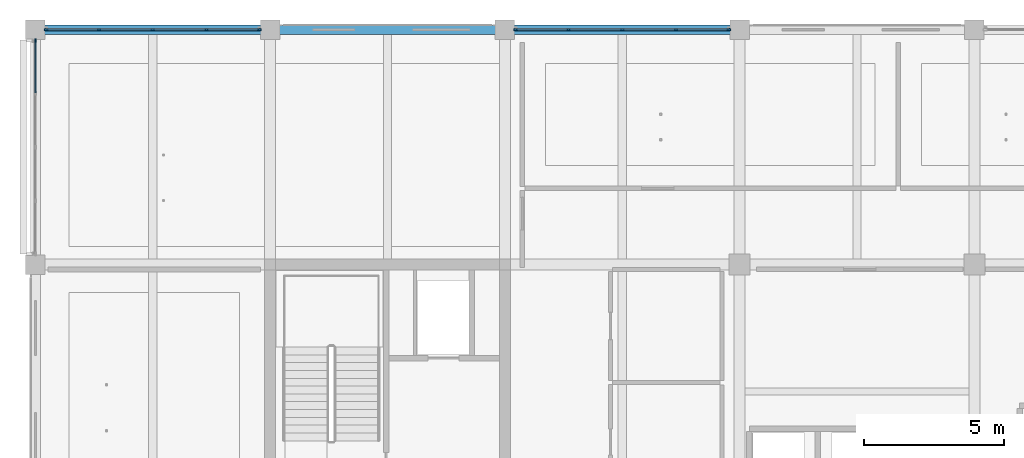
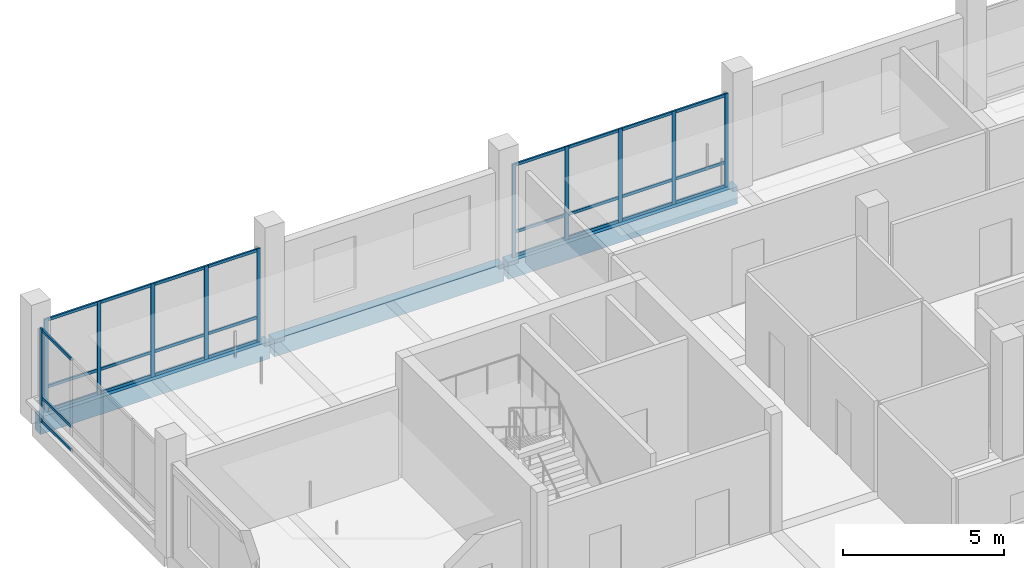
# One storey, part 8 of 32: 38 members, 3 beams, 3 elements without a shape of their own.
"""IFC4 building model written with IfcOpenShell, lengths in metres."""

from ifc_helpers import new_model, si_unit, direction, frame, origin, origin_2d, place, context, subcontext, project, spatial, rectangle, extrude, material, layer, layer_set, material_profile, profile_set, type_object, element, aggregate, save


model = new_model("IFC4")

# Units and contexts
model_context = context("Model", 3, precision=1e-05, world=origin(), true_north=direction((0.0, 1.0)))
body_context = subcontext(model_context, "Body", "Model", "MODEL_VIEW")
ifc_project = project(units=[si_unit("LENGTHUNIT", "METRE"), si_unit("AREAUNIT", "SQUARE_METRE"), si_unit("VOLUMEUNIT", "CUBIC_METRE"), si_unit("PLANEANGLEUNIT", "RADIAN"), si_unit("MASSUNIT", "GRAM", prefix="KILO")], contexts=[model_context])

# Site, building, storey
site_placement = place(None, origin())
site = spatial("IfcSite", under=ifc_project, at=site_placement, CompositionType="ELEMENT")
building_placement = place(site_placement, origin())
building = spatial("IfcBuilding", under=site, at=building_placement, Name="Telukmera Botanical Conservatory", CompositionType="ELEMENT")
storey_placement = place(building_placement, frame((0.0, 0.0, 42.0)))
storey = spatial("IfcBuildingStorey", under=building, at=storey_placement, Name="L09", CompositionType="ELEMENT", Elevation=42.0)

# Beams
ifc_material_1 = material(Name="Precast concrete C40/50", Category="concrete")
ifc_material_profile_1 = material_profile(ifc_material_1, rectangle(XDim=0.35009765625, YDim=0.64990234375, at=origin_2d()), Name="PC 350x650")
ifc_profile_set_1 = profile_set([ifc_material_profile_1], Name="Precast concrete C40/50")
beam_type = type_object("IfcBeamType", Name="Beam_SP3", PredefinedType="SPANDREL", material=ifc_profile_set_1)
beam_1_placement = place(storey_placement, frame((50.47998046875, 42.800048828125, -0.324951171875), z_axis=(1.0, 0.0, 0.0), x_axis=(0.0, 1.0, 0.0)))
element("IfcBeam", 1, at=beam_1_placement, inside=storey, type_object=beam_type, Name="Tower Grid Beam L09", PredefinedType="SPANDREL", context=body_context, shape_type="SweptSolid", body=[
    extrude(rectangle(XDim=0.35009765625, YDim=0.64990234375, at=origin_2d()), origin(), (0.0, 0.0, 1.0), 8.239990234375),
])
beam_2_placement = place(storey_placement, frame((58.8798828125, 42.800048828125, -0.324951171875), z_axis=(1.0, 0.0, 0.0), x_axis=(0.0, 1.0, 0.0)))
element("IfcBeam", 2, at=beam_2_placement, inside=storey, type_object=beam_type, Name="Tower Grid Beam L09", PredefinedType="SPANDREL", context=body_context, shape_type="SweptSolid", body=[
    extrude(rectangle(XDim=0.35009765625, YDim=0.64990234375, at=origin_2d()), origin(), (0.0, 0.0, 1.0), 8.240234375),
])
beam_3_placement = place(storey_placement, frame((67.280029296875, 42.800048828125, -0.324951171875), z_axis=(1.0, 0.0, 0.0), x_axis=(0.0, 1.0, 0.0)))
element("IfcBeam", 3, at=beam_3_placement, inside=storey, type_object=beam_type, Name="Tower Grid Beam L09", PredefinedType="SPANDREL", context=body_context, shape_type="SweptSolid", body=[
    extrude(rectangle(XDim=0.35009765625, YDim=0.64990234375, at=origin_2d()), origin(), (0.0, 0.0, 1.0), 8.239990234375),
])

# Curtain wall, members
ifc_material_2 = material(Name="Anodised aluminium 6063-T6", Category="aluminium")
ifc_layer = layer(ifc_material_2, 0.179931640625)
ifc_layer_set = layer_set([ifc_layer], Name="Anodised aluminium 6063-T6")
curtain_wall_type = type_object("IfcCurtainWallType", Name="Tower Research Laboratory Unitised Curtain Wall", PredefinedType="USERDEFINED", material=ifc_layer_set)
curtain_wall_1_placement = place(storey_placement, origin())
curtain_wall_1 = element("IfcCurtainWall", 4, at=curtain_wall_1_placement, inside=storey, type_object=curtain_wall_type, Name="Unitised Curtain Wall CW15 V4:L09:N1", ObjectType="UNITISED CURTAIN WALL", PredefinedType="USERDEFINED")
ifc_material_profile_2 = material_profile(ifc_material_2, rectangle(XDim=0.06005859375, YDim=0.139892578125, at=origin_2d()), Name="ALU MULL 60x140")
ifc_profile_set_2 = profile_set([ifc_material_profile_2], Name="Anodised aluminium 6063-T6")
member_type_1 = type_object("IfcMemberType", Name="Curtain Wall Extruded Mullion 60x140", PredefinedType="MULLION", material=ifc_profile_set_2)
member_1_placement = place(storey_placement, frame((50.781982421875, 42.800048828125, 0.0), z_axis=(0.0, 0.0, 1.0), x_axis=(0.0, 1.0, 0.0)))
member_1 = element("IfcMember", 5, at=member_1_placement, type_object=member_type_1, Name="CW15 mullion 1", PredefinedType="MULLION", context=body_context, shape_type="SweptSolid", body=[
    extrude(rectangle(XDim=0.06005859375, YDim=0.139892578125, at=origin_2d()), origin(), (0.0, 0.0, 1.0), 3.550048828125),
])
member_2_placement = place(storey_placement, frame((52.676025390625, 42.800048828125, 0.0), z_axis=(0.0, 0.0, 1.0), x_axis=(0.0, 1.0, 0.0)))
member_2 = element("IfcMember", 6, at=member_2_placement, type_object=member_type_1, Name="CW15 mullion 2", PredefinedType="MULLION", context=body_context, shape_type="SweptSolid", body=[
    extrude(rectangle(XDim=0.06005859375, YDim=0.139892578125, at=origin_2d()), origin(), (0.0, 0.0, 1.0), 3.550048828125),
])
member_3_placement = place(storey_placement, frame((54.60009765625, 42.800048828125, 0.0), z_axis=(0.0, 0.0, 1.0), x_axis=(0.0, 1.0, 0.0)))
member_3 = element("IfcMember", 7, at=member_3_placement, type_object=member_type_1, Name="CW15 mullion 3", PredefinedType="MULLION", context=body_context, shape_type="SweptSolid", body=[
    extrude(rectangle(XDim=0.06005859375, YDim=0.139892578125, at=origin_2d()), origin(), (0.0, 0.0, 1.0), 3.550048828125),
])
member_4_placement = place(storey_placement, frame((56.52392578125, 42.800048828125, 0.0), z_axis=(0.0, 0.0, 1.0), x_axis=(0.0, 1.0, 0.0)))
member_4 = element("IfcMember", 8, at=member_4_placement, type_object=member_type_1, Name="CW15 mullion 4", PredefinedType="MULLION", context=body_context, shape_type="SweptSolid", body=[
    extrude(rectangle(XDim=0.06005859375, YDim=0.139892578125, at=origin_2d()), origin(), (0.0, 0.0, 1.0), 3.550048828125),
])
member_5_placement = place(storey_placement, frame((58.41796875, 42.800048828125, 0.0), z_axis=(0.0, 0.0, 1.0), x_axis=(0.0, 1.0, 0.0)))
member_5 = element("IfcMember", 9, at=member_5_placement, type_object=member_type_1, Name="CW15 mullion 5", PredefinedType="MULLION", context=body_context, shape_type="SweptSolid", body=[
    extrude(rectangle(XDim=0.06005859375, YDim=0.139892578125, at=origin_2d()), origin(), (0.0, 0.0, 1.0), 3.550048828125),
])

curtain_wall_2_placement = place(storey_placement, origin())
curtain_wall_2 = element("IfcCurtainWall", 10, at=curtain_wall_2_placement, inside=storey, type_object=curtain_wall_type, Name="Unitised Curtain Wall CW15 V4:L09:N3", ObjectType="UNITISED CURTAIN WALL", PredefinedType="USERDEFINED")
member_6_placement = place(storey_placement, frame((67.58203125, 42.800048828125, 0.0), z_axis=(0.0, 0.0, 1.0), x_axis=(0.0, 1.0, 0.0)))
member_6 = element("IfcMember", 11, at=member_6_placement, type_object=member_type_1, Name="CW15 mullion 1", PredefinedType="MULLION", context=body_context, shape_type="SweptSolid", body=[
    extrude(rectangle(XDim=0.06005859375, YDim=0.139892578125, at=origin_2d()), origin(), (0.0, 0.0, 1.0), 3.550048828125),
])
member_7_placement = place(storey_placement, frame((69.47607421875, 42.800048828125, 0.0), z_axis=(0.0, 0.0, 1.0), x_axis=(0.0, 1.0, 0.0)))
member_7 = element("IfcMember", 12, at=member_7_placement, type_object=member_type_1, Name="CW15 mullion 2", PredefinedType="MULLION", context=body_context, shape_type="SweptSolid", body=[
    extrude(rectangle(XDim=0.06005859375, YDim=0.139892578125, at=origin_2d()), origin(), (0.0, 0.0, 1.0), 3.550048828125),
])
member_8_placement = place(storey_placement, frame((71.39990234375, 42.800048828125, 0.0), z_axis=(0.0, 0.0, 1.0), x_axis=(0.0, 1.0, 0.0)))
member_8 = element("IfcMember", 13, at=member_8_placement, type_object=member_type_1, Name="CW15 mullion 3", PredefinedType="MULLION", context=body_context, shape_type="SweptSolid", body=[
    extrude(rectangle(XDim=0.06005859375, YDim=0.139892578125, at=origin_2d()), origin(), (0.0, 0.0, 1.0), 3.550048828125),
])
member_9_placement = place(storey_placement, frame((73.323974609375, 42.800048828125, 0.0), z_axis=(0.0, 0.0, 1.0), x_axis=(0.0, 1.0, 0.0)))
member_9 = element("IfcMember", 14, at=member_9_placement, type_object=member_type_1, Name="CW15 mullion 4", PredefinedType="MULLION", context=body_context, shape_type="SweptSolid", body=[
    extrude(rectangle(XDim=0.06005859375, YDim=0.139892578125, at=origin_2d()), origin(), (0.0, 0.0, 1.0), 3.550048828125),
])
member_10_placement = place(storey_placement, frame((75.218017578125, 42.800048828125, 0.0), z_axis=(0.0, 0.0, 1.0), x_axis=(0.0, 1.0, 0.0)))
member_10 = element("IfcMember", 15, at=member_10_placement, type_object=member_type_1, Name="CW15 mullion 5", PredefinedType="MULLION", context=body_context, shape_type="SweptSolid", body=[
    extrude(rectangle(XDim=0.06005859375, YDim=0.139892578125, at=origin_2d()), origin(), (0.0, 0.0, 1.0), 3.550048828125),
])

# Curtain wall, member
curtain_wall_3_placement = place(storey_placement, origin())
curtain_wall_3 = element("IfcCurtainWall", 16, at=curtain_wall_3_placement, inside=storey, type_object=curtain_wall_type, Name="Unitised Curtain Wall CW15 V4:L09:W4", ObjectType="UNITISED CURTAIN WALL", PredefinedType="USERDEFINED")
member_11_placement = place(storey_placement, frame((50.39990234375, 42.41796875, 0.0), z_axis=(0.0, 0.0, 1.0), x_axis=(-1.0, 0.0, 0.0)))
member_11 = element("IfcMember", 17, at=member_11_placement, type_object=member_type_1, Name="CW15 mullion 5", PredefinedType="MULLION", context=body_context, shape_type="SweptSolid", body=[
    extrude(rectangle(XDim=0.06005859375, YDim=0.139892578125, at=origin_2d()), origin(), (0.0, 0.0, 1.0), 3.550048828125),
])

# Member
ifc_material_profile_3 = material_profile(ifc_material_2, rectangle(XDim=0.06005859375, YDim=0.110107421875, at=origin_2d()), Name="ALU TRAN 60x110")
ifc_profile_set_3 = profile_set([ifc_material_profile_3], Name="Anodised aluminium 6063-T6")
member_type_2 = type_object("IfcMemberType", Name="Curtain Wall Extruded Transom 60x110", PredefinedType="USERDEFINED", material=ifc_profile_set_3)
member_12_placement = place(storey_placement, frame((50.81201171875, 42.800048828125, 0.054931640625), z_axis=(1.0, 0.0, 0.0), x_axis=(0.0, 1.0, 0.0)))
member_12 = element("IfcMember", 18, at=member_12_placement, type_object=member_type_2, Name="CW15 transom 1.1", ObjectType="TRANSOM", PredefinedType="USERDEFINED", context=body_context, shape_type="SweptSolid", body=[
    extrude(rectangle(XDim=0.06005859375, YDim=0.110107421875, at=origin_2d()), origin(), (0.0, 0.0, 1.0), 1.833984375),
])

member_13_placement = place(storey_placement, frame((50.81201171875, 42.800048828125, 0.949951171875), z_axis=(1.0, 0.0, 0.0), x_axis=(0.0, 1.0, 0.0)))
member_13 = element("IfcMember", 19, at=member_13_placement, type_object=member_type_2, Name="CW15 transom 1.2", ObjectType="TRANSOM", PredefinedType="USERDEFINED", context=body_context, shape_type="SweptSolid", body=[
    extrude(rectangle(XDim=0.06005859375, YDim=0.110107421875, at=origin_2d()), origin(), (0.0, 0.0, 1.0), 1.833984375),
])

member_14_placement = place(storey_placement, frame((50.81201171875, 42.800048828125, 3.4951171875), z_axis=(1.0, 0.0, 0.0), x_axis=(0.0, 1.0, 0.0)))
member_14 = element("IfcMember", 20, at=member_14_placement, type_object=member_type_2, Name="CW15 transom 1.3", ObjectType="TRANSOM", PredefinedType="USERDEFINED", context=body_context, shape_type="SweptSolid", body=[
    extrude(rectangle(XDim=0.06005859375, YDim=0.110107421875, at=origin_2d()), origin(), (0.0, 0.0, 1.0), 1.833984375),
])

member_15_placement = place(storey_placement, frame((52.7060546875, 42.800048828125, 0.054931640625), z_axis=(1.0, 0.0, 0.0), x_axis=(0.0, 1.0, 0.0)))
member_15 = element("IfcMember", 21, at=member_15_placement, type_object=member_type_2, Name="CW15 transom 2.1", ObjectType="TRANSOM", PredefinedType="USERDEFINED", context=body_context, shape_type="SweptSolid", body=[
    extrude(rectangle(XDim=0.06005859375, YDim=0.110107421875, at=origin_2d()), origin(), (0.0, 0.0, 1.0), 1.864013671875),
])

member_16_placement = place(storey_placement, frame((52.7060546875, 42.800048828125, 0.949951171875), z_axis=(1.0, 0.0, 0.0), x_axis=(0.0, 1.0, 0.0)))
member_16 = element("IfcMember", 22, at=member_16_placement, type_object=member_type_2, Name="CW15 transom 2.2", ObjectType="TRANSOM", PredefinedType="USERDEFINED", context=body_context, shape_type="SweptSolid", body=[
    extrude(rectangle(XDim=0.06005859375, YDim=0.110107421875, at=origin_2d()), origin(), (0.0, 0.0, 1.0), 1.864013671875),
])

member_17_placement = place(storey_placement, frame((52.7060546875, 42.800048828125, 3.4951171875), z_axis=(1.0, 0.0, 0.0), x_axis=(0.0, 1.0, 0.0)))
member_17 = element("IfcMember", 23, at=member_17_placement, type_object=member_type_2, Name="CW15 transom 2.3", ObjectType="TRANSOM", PredefinedType="USERDEFINED", context=body_context, shape_type="SweptSolid", body=[
    extrude(rectangle(XDim=0.06005859375, YDim=0.110107421875, at=origin_2d()), origin(), (0.0, 0.0, 1.0), 1.864013671875),
])

member_18_placement = place(storey_placement, frame((54.6298828125, 42.800048828125, 0.054931640625), z_axis=(1.0, 0.0, 0.0), x_axis=(0.0, 1.0, 0.0)))
member_18 = element("IfcMember", 24, at=member_18_placement, type_object=member_type_2, Name="CW15 transom 3.1", ObjectType="TRANSOM", PredefinedType="USERDEFINED", context=body_context, shape_type="SweptSolid", body=[
    extrude(rectangle(XDim=0.06005859375, YDim=0.110107421875, at=origin_2d()), origin(), (0.0, 0.0, 1.0), 1.864013671875),
])

member_19_placement = place(storey_placement, frame((54.6298828125, 42.800048828125, 0.949951171875), z_axis=(1.0, 0.0, 0.0), x_axis=(0.0, 1.0, 0.0)))
member_19 = element("IfcMember", 25, at=member_19_placement, type_object=member_type_2, Name="CW15 transom 3.2", ObjectType="TRANSOM", PredefinedType="USERDEFINED", context=body_context, shape_type="SweptSolid", body=[
    extrude(rectangle(XDim=0.06005859375, YDim=0.110107421875, at=origin_2d()), origin(), (0.0, 0.0, 1.0), 1.864013671875),
])

member_20_placement = place(storey_placement, frame((54.6298828125, 42.800048828125, 3.4951171875), z_axis=(1.0, 0.0, 0.0), x_axis=(0.0, 1.0, 0.0)))
member_20 = element("IfcMember", 26, at=member_20_placement, type_object=member_type_2, Name="CW15 transom 3.3", ObjectType="TRANSOM", PredefinedType="USERDEFINED", context=body_context, shape_type="SweptSolid", body=[
    extrude(rectangle(XDim=0.06005859375, YDim=0.110107421875, at=origin_2d()), origin(), (0.0, 0.0, 1.0), 1.864013671875),
])

member_21_placement = place(storey_placement, frame((56.553955078125, 42.800048828125, 0.054931640625), z_axis=(1.0, 0.0, 0.0), x_axis=(0.0, 1.0, 0.0)))
member_21 = element("IfcMember", 27, at=member_21_placement, type_object=member_type_2, Name="CW15 transom 4.1", ObjectType="TRANSOM", PredefinedType="USERDEFINED", context=body_context, shape_type="SweptSolid", body=[
    extrude(rectangle(XDim=0.06005859375, YDim=0.110107421875, at=origin_2d()), origin(), (0.0, 0.0, 1.0), 1.833984375),
])

member_22_placement = place(storey_placement, frame((56.553955078125, 42.800048828125, 0.949951171875), z_axis=(1.0, 0.0, 0.0), x_axis=(0.0, 1.0, 0.0)))
member_22 = element("IfcMember", 28, at=member_22_placement, type_object=member_type_2, Name="CW15 transom 4.2", ObjectType="TRANSOM", PredefinedType="USERDEFINED", context=body_context, shape_type="SweptSolid", body=[
    extrude(rectangle(XDim=0.06005859375, YDim=0.110107421875, at=origin_2d()), origin(), (0.0, 0.0, 1.0), 1.833984375),
])

member_23_placement = place(storey_placement, frame((56.553955078125, 42.800048828125, 3.4951171875), z_axis=(1.0, 0.0, 0.0), x_axis=(0.0, 1.0, 0.0)))
member_23 = element("IfcMember", 29, at=member_23_placement, type_object=member_type_2, Name="CW15 transom 4.3", ObjectType="TRANSOM", PredefinedType="USERDEFINED", context=body_context, shape_type="SweptSolid", body=[
    extrude(rectangle(XDim=0.06005859375, YDim=0.110107421875, at=origin_2d()), origin(), (0.0, 0.0, 1.0), 1.833984375),
])

aggregate(curtain_wall_1, [member_1, member_2, member_3, member_4, member_5, member_12, member_13, member_14, member_15, member_16, member_17, member_18, member_19, member_20, member_21, member_22, member_23])

member_24_placement = place(storey_placement, frame((67.612060546875, 42.800048828125, 0.054931640625), z_axis=(1.0, 0.0, 0.0), x_axis=(0.0, 1.0, 0.0)))
member_24 = element("IfcMember", 30, at=member_24_placement, type_object=member_type_2, Name="CW15 transom 1.1", ObjectType="TRANSOM", PredefinedType="USERDEFINED", context=body_context, shape_type="SweptSolid", body=[
    extrude(rectangle(XDim=0.06005859375, YDim=0.110107421875, at=origin_2d()), origin(), (0.0, 0.0, 1.0), 1.833984375),
])

member_25_placement = place(storey_placement, frame((67.612060546875, 42.800048828125, 0.949951171875), z_axis=(1.0, 0.0, 0.0), x_axis=(0.0, 1.0, 0.0)))
member_25 = element("IfcMember", 31, at=member_25_placement, type_object=member_type_2, Name="CW15 transom 1.2", ObjectType="TRANSOM", PredefinedType="USERDEFINED", context=body_context, shape_type="SweptSolid", body=[
    extrude(rectangle(XDim=0.06005859375, YDim=0.110107421875, at=origin_2d()), origin(), (0.0, 0.0, 1.0), 1.833984375),
])

member_26_placement = place(storey_placement, frame((67.612060546875, 42.800048828125, 3.4951171875), z_axis=(1.0, 0.0, 0.0), x_axis=(0.0, 1.0, 0.0)))
member_26 = element("IfcMember", 32, at=member_26_placement, type_object=member_type_2, Name="CW15 transom 1.3", ObjectType="TRANSOM", PredefinedType="USERDEFINED", context=body_context, shape_type="SweptSolid", body=[
    extrude(rectangle(XDim=0.06005859375, YDim=0.110107421875, at=origin_2d()), origin(), (0.0, 0.0, 1.0), 1.833984375),
])

member_27_placement = place(storey_placement, frame((69.506103515625, 42.800048828125, 0.054931640625), z_axis=(1.0, 0.0, 0.0), x_axis=(0.0, 1.0, 0.0)))
member_27 = element("IfcMember", 33, at=member_27_placement, type_object=member_type_2, Name="CW15 transom 2.1", ObjectType="TRANSOM", PredefinedType="USERDEFINED", context=body_context, shape_type="SweptSolid", body=[
    extrude(rectangle(XDim=0.06005859375, YDim=0.110107421875, at=origin_2d()), origin(), (0.0, 0.0, 1.0), 1.864013671875),
])

member_28_placement = place(storey_placement, frame((69.506103515625, 42.800048828125, 0.949951171875), z_axis=(1.0, 0.0, 0.0), x_axis=(0.0, 1.0, 0.0)))
member_28 = element("IfcMember", 34, at=member_28_placement, type_object=member_type_2, Name="CW15 transom 2.2", ObjectType="TRANSOM", PredefinedType="USERDEFINED", context=body_context, shape_type="SweptSolid", body=[
    extrude(rectangle(XDim=0.06005859375, YDim=0.110107421875, at=origin_2d()), origin(), (0.0, 0.0, 1.0), 1.864013671875),
])

member_29_placement = place(storey_placement, frame((69.506103515625, 42.800048828125, 3.4951171875), z_axis=(1.0, 0.0, 0.0), x_axis=(0.0, 1.0, 0.0)))
member_29 = element("IfcMember", 35, at=member_29_placement, type_object=member_type_2, Name="CW15 transom 2.3", ObjectType="TRANSOM", PredefinedType="USERDEFINED", context=body_context, shape_type="SweptSolid", body=[
    extrude(rectangle(XDim=0.06005859375, YDim=0.110107421875, at=origin_2d()), origin(), (0.0, 0.0, 1.0), 1.864013671875),
])

member_30_placement = place(storey_placement, frame((71.429931640625, 42.800048828125, 0.054931640625), z_axis=(1.0, 0.0, 0.0), x_axis=(0.0, 1.0, 0.0)))
member_30 = element("IfcMember", 36, at=member_30_placement, type_object=member_type_2, Name="CW15 transom 3.1", ObjectType="TRANSOM", PredefinedType="USERDEFINED", context=body_context, shape_type="SweptSolid", body=[
    extrude(rectangle(XDim=0.06005859375, YDim=0.110107421875, at=origin_2d()), origin(), (0.0, 0.0, 1.0), 1.864013671875),
])

member_31_placement = place(storey_placement, frame((71.429931640625, 42.800048828125, 0.949951171875), z_axis=(1.0, 0.0, 0.0), x_axis=(0.0, 1.0, 0.0)))
member_31 = element("IfcMember", 37, at=member_31_placement, type_object=member_type_2, Name="CW15 transom 3.2", ObjectType="TRANSOM", PredefinedType="USERDEFINED", context=body_context, shape_type="SweptSolid", body=[
    extrude(rectangle(XDim=0.06005859375, YDim=0.110107421875, at=origin_2d()), origin(), (0.0, 0.0, 1.0), 1.864013671875),
])

member_32_placement = place(storey_placement, frame((71.429931640625, 42.800048828125, 3.4951171875), z_axis=(1.0, 0.0, 0.0), x_axis=(0.0, 1.0, 0.0)))
member_32 = element("IfcMember", 38, at=member_32_placement, type_object=member_type_2, Name="CW15 transom 3.3", ObjectType="TRANSOM", PredefinedType="USERDEFINED", context=body_context, shape_type="SweptSolid", body=[
    extrude(rectangle(XDim=0.06005859375, YDim=0.110107421875, at=origin_2d()), origin(), (0.0, 0.0, 1.0), 1.864013671875),
])

member_33_placement = place(storey_placement, frame((73.35400390625, 42.800048828125, 0.054931640625), z_axis=(1.0, 0.0, 0.0), x_axis=(0.0, 1.0, 0.0)))
member_33 = element("IfcMember", 39, at=member_33_placement, type_object=member_type_2, Name="CW15 transom 4.1", ObjectType="TRANSOM", PredefinedType="USERDEFINED", context=body_context, shape_type="SweptSolid", body=[
    extrude(rectangle(XDim=0.06005859375, YDim=0.110107421875, at=origin_2d()), origin(), (0.0, 0.0, 1.0), 1.833984375),
])

member_34_placement = place(storey_placement, frame((73.35400390625, 42.800048828125, 0.949951171875), z_axis=(1.0, 0.0, 0.0), x_axis=(0.0, 1.0, 0.0)))
member_34 = element("IfcMember", 40, at=member_34_placement, type_object=member_type_2, Name="CW15 transom 4.2", ObjectType="TRANSOM", PredefinedType="USERDEFINED", context=body_context, shape_type="SweptSolid", body=[
    extrude(rectangle(XDim=0.06005859375, YDim=0.110107421875, at=origin_2d()), origin(), (0.0, 0.0, 1.0), 1.833984375),
])

member_35_placement = place(storey_placement, frame((73.35400390625, 42.800048828125, 3.4951171875), z_axis=(1.0, 0.0, 0.0), x_axis=(0.0, 1.0, 0.0)))
member_35 = element("IfcMember", 41, at=member_35_placement, type_object=member_type_2, Name="CW15 transom 4.3", ObjectType="TRANSOM", PredefinedType="USERDEFINED", context=body_context, shape_type="SweptSolid", body=[
    extrude(rectangle(XDim=0.06005859375, YDim=0.110107421875, at=origin_2d()), origin(), (0.0, 0.0, 1.0), 1.833984375),
])

aggregate(curtain_wall_2, [member_6, member_7, member_8, member_9, member_10, member_24, member_25, member_26, member_27, member_28, member_29, member_30, member_31, member_32, member_33, member_34, member_35])

member_36_placement = place(storey_placement, frame((50.39990234375, 40.553955078125, 0.054931640625), z_axis=(0.0, 1.0, 0.0), x_axis=(-1.0, 0.0, 0.0)))
member_36 = element("IfcMember", 42, at=member_36_placement, type_object=member_type_2, Name="CW15 transom 4.1", ObjectType="TRANSOM", PredefinedType="USERDEFINED", context=body_context, shape_type="SweptSolid", body=[
    extrude(rectangle(XDim=0.06005859375, YDim=0.110107421875, at=origin_2d()), origin(), (0.0, 0.0, 1.0), 1.833984375),
])

member_37_placement = place(storey_placement, frame((50.39990234375, 40.553955078125, 0.949951171875), z_axis=(0.0, 1.0, 0.0), x_axis=(-1.0, 0.0, 0.0)))
member_37 = element("IfcMember", 43, at=member_37_placement, type_object=member_type_2, Name="CW15 transom 4.2", ObjectType="TRANSOM", PredefinedType="USERDEFINED", context=body_context, shape_type="SweptSolid", body=[
    extrude(rectangle(XDim=0.06005859375, YDim=0.110107421875, at=origin_2d()), origin(), (0.0, 0.0, 1.0), 1.833984375),
])

member_38_placement = place(storey_placement, frame((50.39990234375, 40.553955078125, 3.4951171875), z_axis=(0.0, 1.0, 0.0), x_axis=(-1.0, 0.0, 0.0)))
member_38 = element("IfcMember", 44, at=member_38_placement, type_object=member_type_2, Name="CW15 transom 4.3", ObjectType="TRANSOM", PredefinedType="USERDEFINED", context=body_context, shape_type="SweptSolid", body=[
    extrude(rectangle(XDim=0.06005859375, YDim=0.110107421875, at=origin_2d()), origin(), (0.0, 0.0, 1.0), 1.833984375),
])

aggregate(curtain_wall_3, [member_11, member_36, member_37, member_38])

save(model, "model.ifc")
